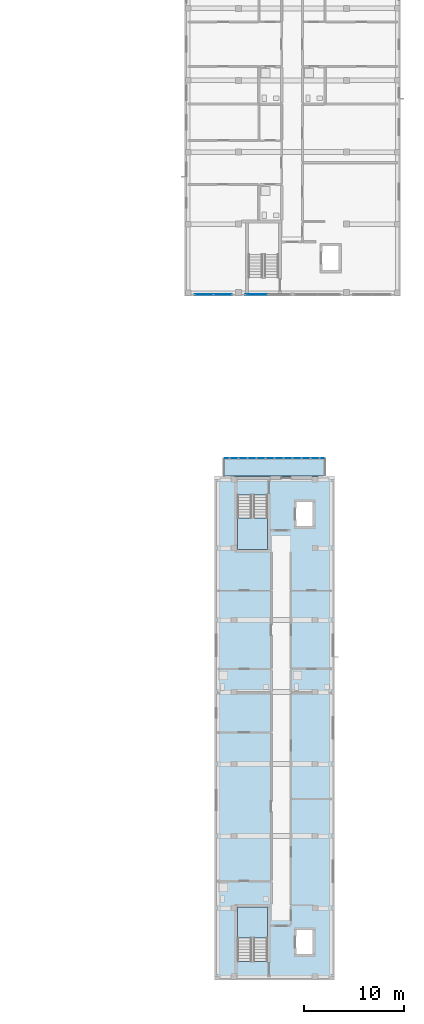
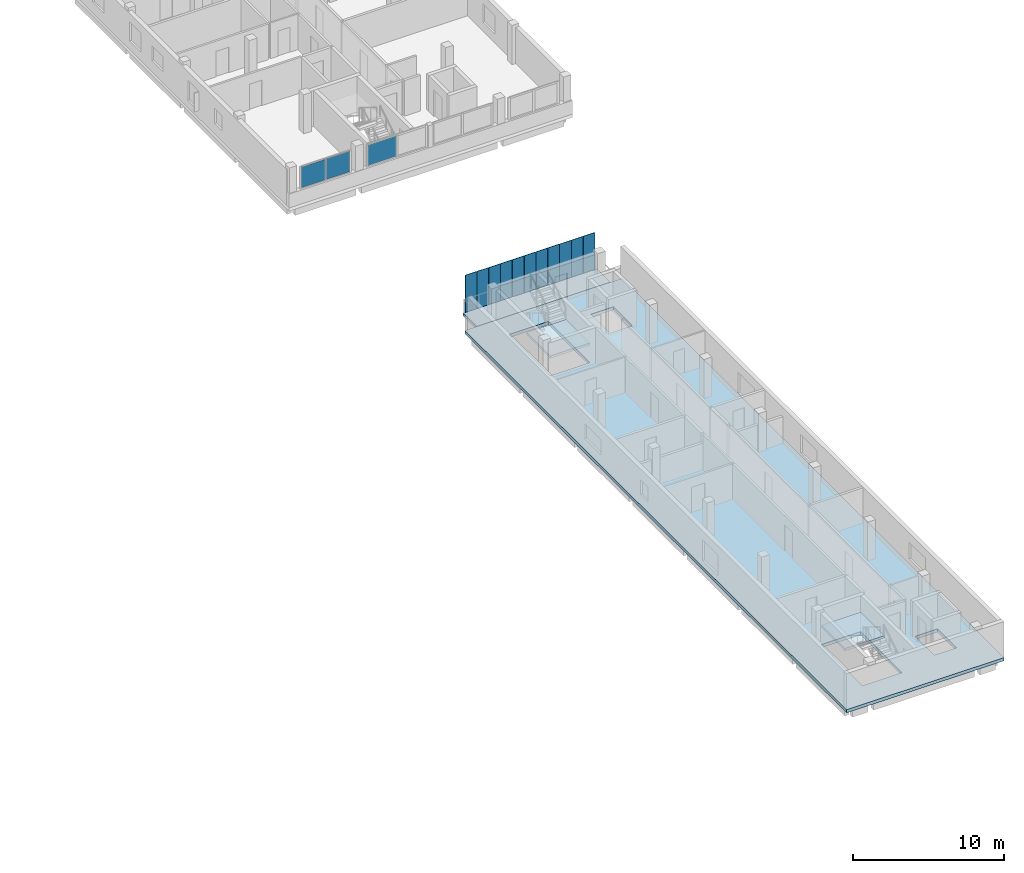
# One storey, part 9 of 35: 14 plates, 4 slabs, 4 elements without a shape of their own.
"""IFC4 building model written with IfcOpenShell, lengths in metres."""

from ifc_helpers import new_model, si_unit, derived_unit, direction, frame, origin, origin_2d, place, context, subcontext, project, spatial, polyline, rectangle, outline, extrude, material, layer, layer_set, type_object, element, aggregate, save


model = new_model("IFC4")

# Units and contexts
model_context = context("Model", 3, precision=1e-05, world=origin(), true_north=direction((0.0, 1.0)))
body_context = subcontext(model_context, "Body", "Model", "MODEL_VIEW")
ifc_project = project(units=[si_unit("LENGTHUNIT", "METRE"), si_unit("AREAUNIT", "SQUARE_METRE"), si_unit("VOLUMEUNIT", "CUBIC_METRE"), si_unit("PLANEANGLEUNIT", "RADIAN"), si_unit("MASSUNIT", "GRAM", prefix="KILO"), derived_unit("THERMALTRANSMITTANCEUNIT", [(si_unit("MASSUNIT", "GRAM", prefix="KILO"), 1), (si_unit("TIMEUNIT", "SECOND"), -3), (si_unit("THERMODYNAMICTEMPERATUREUNIT", "KELVIN"), -1)])], contexts=[model_context])

# Site, building, storey
site_placement = place(None, origin())
site = spatial("IfcSite", under=ifc_project, at=site_placement, CompositionType="ELEMENT")
building_placement = place(site_placement, origin())
building = spatial("IfcBuilding", under=site, at=building_placement, Name="Ochrekiln Boulevard Commons", CompositionType="ELEMENT")
storey_placement = place(building_placement, frame((0.0, 0.0, 30.97509765625)))
storey = spatial("IfcBuildingStorey", under=building, at=storey_placement, Name="L09", CompositionType="ELEMENT", Elevation=30.97509765625)

# Curtain wall, plate
ifc_material_1 = material(Name="Bronze-anodized extruded aluminium 6063-T6", Category="aluminium")
ifc_layer_1 = layer(ifc_material_1, 0.18408203125)
ifc_layer_set_1 = layer_set([ifc_layer_1], Name="Bronze-anodized extruded aluminium 6063-T6")
curtain_wall_type = type_object("IfcCurtainWallType", Name="CW-GABLE-B", PredefinedType="USERDEFINED", material=ifc_layer_set_1)
curtain_wall_1_placement = place(storey_placement, origin())
curtain_wall_1 = element("IfcCurtainWall", 1, at=curtain_wall_1_placement, inside=storey, type_object=curtain_wall_type, Name="Block B L09 Courtyard Glazed Gable Curtain Wall 2", ObjectType="GLAZED CURTAIN WALL", PredefinedType="USERDEFINED")
ifc_material_2 = material(Name="Spectrally selective low-E insulated glazing", Category="glass")
ifc_layer_2 = layer(ifc_material_2, 0.02392578125)
ifc_layer_set_2 = layer_set([ifc_layer_2], Name="Spectrally selective low-E insulated glazing")
plate_type_1 = type_object("IfcPlateType", Name="CWP-GLZ-1", PredefinedType="CURTAIN_PANEL", material=ifc_layer_set_2)
plate_1_placement = place(storey_placement, frame((158.38134765625, 68.570068359375, 1.1748046875), z_axis=(0.0, 0.0, 1.0), x_axis=(1.0, 0.0, 0.0)))
plate_1 = element("IfcPlate", 2, at=plate_1_placement, type_object=plate_type_1, Name="CW-02 panel 1.1", PredefinedType="CURTAIN_PANEL", context=body_context, shape_type="SweptSolid", body=[
    extrude(rectangle(XDim=2.1923828125, YDim=0.02392578125, at=origin_2d()), origin(), (0.0, 0.0, 1.0), 1.659912109375),
])
aggregate(curtain_wall_1, [plate_1])

# Curtain wall, plates
curtain_wall_2_placement = place(storey_placement, origin())
curtain_wall_2 = element("IfcCurtainWall", 3, at=curtain_wall_2_placement, inside=storey, type_object=curtain_wall_type, Name="Block B L09 Courtyard Glazed Gable Curtain Wall 1", ObjectType="GLAZED CURTAIN WALL", PredefinedType="USERDEFINED")
ifc_layer_3 = layer(ifc_material_2, 0.0419921875)
ifc_layer_set_3 = layer_set([ifc_layer_3], Name="Spectrally selective low-E insulated glazing")
plate_type_2 = type_object("IfcPlateType", Name="CWP-GLZ-4", PredefinedType="CURTAIN_PANEL", material=ifc_layer_set_3)
plate_2_placement = place(storey_placement, frame((153.137451171875, 68.570068359375, 1.169921875), z_axis=(0.0, 0.0, 1.0), x_axis=(1.0, 0.0, 0.0)))
plate_2 = element("IfcPlate", 4, at=plate_2_placement, type_object=plate_type_2, Name="CW-02 panel 1.1", PredefinedType="CURTAIN_PANEL", context=body_context, shape_type="SweptSolid", body=[
    extrude(rectangle(XDim=1.81494140625, YDim=0.0419921875, at=origin_2d()), origin(), (0.0, 0.0, 1.0), 1.669921875),
])
plate_3_placement = place(storey_placement, frame((155.012451171875, 68.570068359375, 1.169921875), z_axis=(0.0, 0.0, 1.0), x_axis=(1.0, 0.0, 0.0)))
plate_3 = element("IfcPlate", 5, at=plate_3_placement, type_object=plate_type_2, Name="CW-02 panel 2.1", PredefinedType="CURTAIN_PANEL", context=body_context, shape_type="SweptSolid", body=[
    extrude(rectangle(XDim=1.81494140625, YDim=0.0419921875, at=origin_2d()), origin(), (0.0, 0.0, 1.0), 1.669921875),
])
aggregate(curtain_wall_2, [plate_2, plate_3])

# Plates
ifc_layer_4 = layer(ifc_material_1, 0.031982421875)
ifc_layer_set_4 = layer_set([ifc_layer_4], Name="Bronze-anodized extruded aluminium 6063-T6")
plate_type_3 = type_object("IfcPlateType", Name="PLT-SCR-BRZ-3", PredefinedType="USERDEFINED", material=ifc_layer_set_4)
for number, where, z_axis, x_axis, name in (
    (6, (155.699951171875, 52.18994140625, -0.16015625), (0.0, 0.0, 1.0), (1.0, 0.0, 0.0), "Block C L09 Perforated Bronze Mesh Screen Panel 1"),
    (7, (156.60009765625, 52.18994140625, -0.16015625), (0.0, 0.0, 1.0), (1.0, 0.0, 0.0), "Block C L09 Perforated Bronze Mesh Screen Panel 2"),
    (8, (157.5, 52.18994140625, -0.16015625), (0.0, 0.0, 1.0), (1.0, 0.0, 0.0), "Block C L09 Perforated Bronze Mesh Screen Panel 3"),
    (9, (158.39990234375, 52.18994140625, -0.16015625), (0.0, 0.0, 1.0), (1.0, 0.0, 0.0), "Block C L09 Perforated Bronze Mesh Screen Panel 4"),
    (10, (159.300048828125, 52.18994140625, -0.16015625), (0.0, 0.0, 1.0), (1.0, 0.0, 0.0), "Block C L09 Perforated Bronze Mesh Screen Panel 5"),
    (11, (160.199951171875, 52.18994140625, -0.16015625), (0.0, 0.0, 1.0), (1.0, 0.0, 0.0), "Block C L09 Perforated Bronze Mesh Screen Panel 6"),
    (12, (161.10009765625, 52.18994140625, -0.16015625), (0.0, 0.0, 1.0), (1.0, 0.0, 0.0), "Block C L09 Perforated Bronze Mesh Screen Panel 7"),
    (13, (162.0, 52.18994140625, -0.16015625), (0.0, 0.0, 1.0), (1.0, 0.0, 0.0), "Block C L09 Perforated Bronze Mesh Screen Panel 8"),
    (14, (162.89990234375, 52.18994140625, -0.16015625), (0.0, 0.0, 1.0), (1.0, 0.0, 0.0), "Block C L09 Perforated Bronze Mesh Screen Panel 9"),
    (15, (163.800048828125, 52.18994140625, -0.16015625), (0.0, 0.0, 1.0), (1.0, 0.0, 0.0), "Block C L09 Perforated Bronze Mesh Screen Panel 10"),
    (16, (164.699951171875, 52.18994140625, -0.16015625), (0.0, 0.0, 1.0), (1.0, 0.0, 0.0), "Block C L09 Perforated Bronze Mesh Screen Panel 11"),
):
    element("IfcPlate", number, at=place(storey_placement, frame(where, z_axis=z_axis, x_axis=x_axis)), inside=storey, type_object=plate_type_3, Name=name, ObjectType="SCREEN", PredefinedType="USERDEFINED", context=body_context, shape_type="SweptSolid", body=[
        extrude(rectangle(XDim=0.8798828125, YDim=0.031982421875, at=origin_2d()), origin(), (0.0, 0.0, 1.0), 3.14990234375),
    ])

# Slab
ifc_material_3 = material(Name="Concrete C35/45", Category="concrete")
ifc_layer_5 = layer(ifc_material_3, 0.219970703125)
ifc_layer_set_5 = layer_set([ifc_layer_5], Name="Concrete C35/45")
slab_type_1 = type_object("IfcSlabType", Name="SLB-BAL-220", PredefinedType="FLOOR", material=ifc_layer_set_5)
slab_1_placement = place(storey_placement, frame((0.0, 0.0, -0.22021484375)))
element("IfcSlab", 17, at=slab_1_placement, inside=storey, type_object=slab_type_1, Name="Block C L09 Screened North Courtyard Balcony Slab", PredefinedType="FLOOR", context=body_context, shape_type="SweptSolid", body=[
    extrude(outline(polyline([(155.10009765625, 50.39990234375), (165.300048828125, 50.39990234375), (165.300048828125, 52.199951171875), (155.10009765625, 52.199951171875), (155.10009765625, 50.39990234375)])), origin(), (0.0, 0.0, 1.0), 0.22021484375),
])

# Stair, slab
stair_type = type_object("IfcStairType", Name="STR-DL-315", PredefinedType="TWO_STRAIGHT_RUN_STAIR", material=ifc_material_3)
stair_1_placement = place(storey_placement, origin())
stair_1 = element("IfcStair", 18, at=stair_1_placement, inside=storey, type_object=stair_type, Name="L09 Enclosed Exit Stair ST-C1", PredefinedType="TWO_STRAIGHT_RUN_STAIR")
ifc_layer_6 = layer(ifc_material_3, 0.199951171875)
ifc_layer_set_6 = layer_set([ifc_layer_6], Name="Concrete C35/45")
slab_type_2 = type_object("IfcSlabType", Name="SLB-LND-200", PredefinedType="LANDING", material=ifc_layer_set_6)
slab_2_placement = place(storey_placement, frame((0.0, 0.0, 1.375)))
slab_2 = element("IfcSlab", 19, at=slab_2_placement, type_object=slab_type_2, Name="ST-C1 landing 1", PredefinedType="LANDING", context=body_context, shape_type="SweptSolid", body=[
    extrude(outline(polyline([(159.5, 4.18994140625), (159.5, 7.320068359375), (156.5, 7.320068359375), (156.5, 4.18994140625), (159.5, 4.18994140625)])), origin(), (0.0, 0.0, 1.0), 0.199951171875),
])
aggregate(stair_1, [slab_2])

stair_2_placement = place(storey_placement, origin())
stair_2 = element("IfcStair", 20, at=stair_2_placement, inside=storey, type_object=stair_type, Name="L09 Enclosed Exit Stair ST-C2", PredefinedType="TWO_STRAIGHT_RUN_STAIR")
slab_3_placement = place(storey_placement, frame((0.0, 0.0, 1.375)))
slab_3 = element("IfcSlab", 21, at=slab_3_placement, type_object=slab_type_2, Name="ST-C2 landing 1", PredefinedType="LANDING", context=body_context, shape_type="SweptSolid", body=[
    extrude(outline(polyline([(156.5, 46.2099609375), (156.5, 43.080078125), (159.5, 43.080078125), (159.5, 46.2099609375), (156.5, 46.2099609375)])), origin(), (0.0, 0.0, 1.0), 0.199951171875),
])
aggregate(stair_2, [slab_3])

# Slab
ifc_layer_7 = layer(ifc_material_3, 0.260009765625)
ifc_layer_set_7 = layer_set([ifc_layer_7], Name="Concrete C35/45")
slab_type_3 = type_object("IfcSlabType", Name="SLB-RES-260", PredefinedType="FLOOR", material=ifc_layer_set_7)
slab_4_placement = place(storey_placement, frame((0.0, 0.0, -0.260009765625)))
element("IfcSlab", 22, at=slab_4_placement, inside=storey, type_object=slab_type_3, Name="Block C L09 Reinforced Concrete Floor Slab", PredefinedType="FLOOR", context=body_context, shape_type="SweptSolid", body=[
    extrude(outline(polyline([(154.199951171875, 0.0), (166.199951171875, 0.0), (166.199951171875, 50.39990234375), (154.199951171875, 50.39990234375), (154.199951171875, 0.0)]), holes=[polyline([(159.5, 1.87060546875), (159.5, 7.320068359375), (156.5, 7.320068359375), (156.5, 1.87060546875), (159.5, 1.87060546875)]), polyline([(156.5, 48.529541015625), (156.5, 43.080078125), (159.5, 43.080078125), (159.5, 48.529541015625), (156.5, 48.529541015625)]), polyline([(162.35009765625, 2.550048828125), (164.050048828125, 2.550048828125), (164.050048828125, 5.050048828125), (162.35009765625, 5.050048828125), (162.35009765625, 2.550048828125)]), polyline([(162.35009765625, 45.35009765625), (164.050048828125, 45.35009765625), (164.050048828125, 47.85009765625), (162.35009765625, 47.85009765625), (162.35009765625, 45.35009765625)])]), origin(), (0.0, 0.0, 1.0), 0.260009765625),
])

save(model, "model.ifc")
